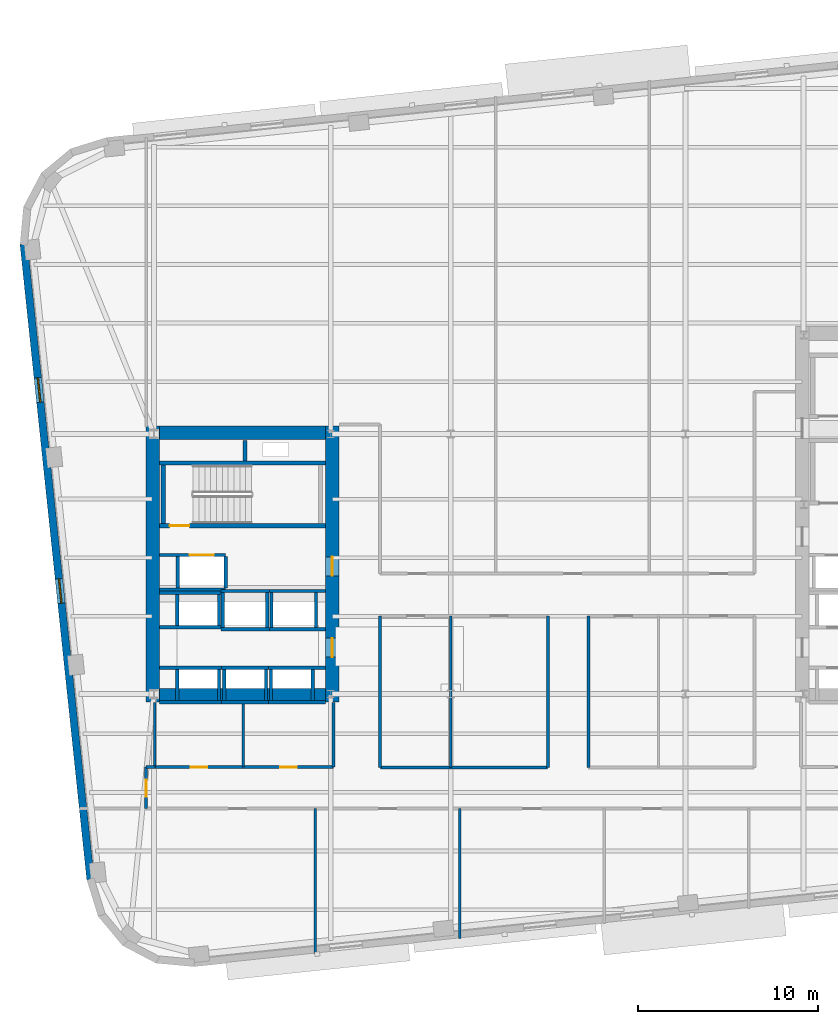
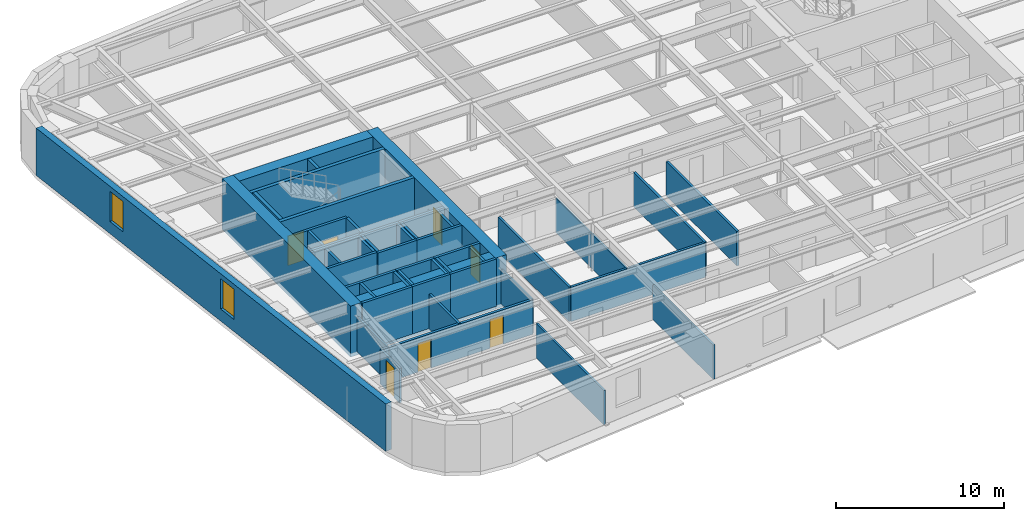
# One storey, part 4 of 11: 50 walls, 7 doors, 2 windows, 9 openings.
"""IFC4 building model written with IfcOpenShell, lengths in metres."""

from ifc_helpers import new_model, si_unit, direction, frame, frame_2d, origin, place, context, subcontext, project, spatial, rectangle, extrude, material, layer, layer_set, type_object, element, fill, save


model = new_model("IFC4")

# Units and contexts
model_context = context("Model", 3, precision=1e-05, world=origin(), true_north=direction((0.0, 1.0)))
body_context = subcontext(model_context, "Body", "Model", "MODEL_VIEW")
ifc_project = project(units=[si_unit("LENGTHUNIT", "METRE"), si_unit("AREAUNIT", "SQUARE_METRE"), si_unit("VOLUMEUNIT", "CUBIC_METRE"), si_unit("PLANEANGLEUNIT", "RADIAN"), si_unit("MASSUNIT", "GRAM", prefix="KILO")], contexts=[model_context])

# Site, building, storey
site_placement = place(None, origin())
site = spatial("IfcSite", under=ifc_project, at=site_placement, CompositionType="ELEMENT")
building_placement = place(site_placement, origin())
building = spatial("IfcBuilding", under=site, at=building_placement, Name="Kolvaren Arena Tower", CompositionType="ELEMENT")
storey_placement = place(building_placement, frame((0.0, 0.0, 122.199951171875)))
storey = spatial("IfcBuildingStorey", under=building, at=storey_placement, Name="L28", CompositionType="ELEMENT", Elevation=122.199951171875)

# Walls
ifc_material_1 = material(Name="Gypsum board acoustic assembly", Category="gypsum")
ifc_layer_1 = layer(ifc_material_1, 0.159912109375)
ifc_layer_set_1 = layer_set([ifc_layer_1], Name="Gypsum board acoustic assembly")
wall_type_1 = type_object("IfcWallType", Name="CORR-160", PredefinedType="PARTITIONING", material=ifc_layer_set_1)
wall_1_placement = place(storey_placement, frame((27.10009765625, 15.3798828125, 0.0), z_axis=(0.0, 0.0, 1.0), x_axis=(1.0, 0.0, 0.0)))
element("IfcWall", 1, at=wall_1_placement, inside=storey, type_object=wall_type_1, Name="Interior Partition Wall (L28)", PredefinedType="PARTITIONING", context=body_context, shape_type="SweptSolid", body=[
    extrude(rectangle(XDim=9.260009765625, YDim=0.159912109375, at=frame_2d((4.6298828125, 0.0))), origin(), (0.0, 0.0, 1.0), 2.5),
])
for number, where, z_axis, x_axis, name in (
    (2, (36.3798828125, 15.3798828125, 0.0), (0.0, 0.0, 1.0), (0.0, 1.0, 0.0), "Interior Partition Wall (L28)"),
    (3, (38.6201171875, 15.3798828125, 0.0), (0.0, 0.0, 1.0), (0.0, 1.0, 0.0), "Interior Partition Wall (L28)"),
    (4, (27.080078125, 15.3798828125, 0.0), (0.0, 0.0, 1.0), (0.0, 1.0, 0.0), "Interior Partition Wall (L28)"),
):
    element("IfcWall", number, at=place(storey_placement, frame(where, z_axis=z_axis, x_axis=x_axis)), inside=storey, type_object=wall_type_1, Name=name, PredefinedType="PARTITIONING", context=body_context, shape_type="SweptSolid", body=[
        extrude(rectangle(XDim=8.400146484375, YDim=0.159912109375, at=frame_2d((4.2001953125, 0.0))), origin(), (0.0, 0.0, 1.0), 2.5),
    ])

# Wall, opening, door
wall_2_placement = place(storey_placement, frame((14.1201171875, 13.10009765625, 0.0), z_axis=(0.0, 0.0, 1.0), x_axis=(0.0, 1.0, 0.0)))
wall_2 = element("IfcWall", 5, at=wall_2_placement, inside=storey, type_object=wall_type_1, Name="Interior Partition Wall (L28)", PredefinedType="PARTITIONING", context=body_context, shape_type="SweptSolid", body=[
    extrude(rectangle(XDim=2.2998046875, YDim=0.159912109375, at=frame_2d((1.14990234375, 0.0))), origin(), (0.0, 0.0, 1.0), 2.5),
])
opening_1_placement = place(wall_2_placement, frame((0.64990234375, 0.0, 0.0)))
opening_1 = element("IfcOpeningElement", 6, at=opening_1_placement, cuts=wall_2, Name="Opening D05", PredefinedType="OPENING", context=body_context, shape_type="SweptSolid", body=[
    extrude(rectangle(XDim=0.949951171875, YDim=2.14990234375, at=frame_2d((0.47509765625, 1.074951171875))), frame((0.0, 0.08984375, 0.0), z_axis=(0.0, -1.0, 0.0), x_axis=(1.0, 0.0, 0.0)), (0.0, 0.0, 1.0), 0.179931640625),
])
ifc_material_2 = material(Name="Solid-core oak acoustic office door", Category="wood")
door_type_1 = type_object("IfcDoorType", Name="DOOR-OF-095", OperationType="NOTDEFINED", PredefinedType="DOOR", material=ifc_material_2)
door_1_placement = place(opening_1_placement, origin())
door_1 = element("IfcDoor", 7, at=door_1_placement, inside=storey, type_object=door_type_1, Name="West Wing Office Door (L28)", OperationType="SINGLE_SWING_LEFT", OverallHeight=2.14990234375, OverallWidth=0.949951171875, PredefinedType="DOOR", context=body_context, shape_type="SweptSolid", body=[
    extrude(rectangle(XDim=0.949951171875, YDim=2.14990234375, at=frame_2d((0.47509765625, 1.074951171875))), frame((0.0, 0.02490234375, 0.0), z_axis=(0.0, -1.0, 0.0), x_axis=(1.0, 0.0, 0.0)), (0.0, 0.0, 1.0), 0.050048828125),
])
fill(opening_1, door_1)

# Walls
wall_3_placement = place(storey_placement, frame((14.1201171875, 15.39990234375, 0.0), z_axis=(0.0, 0.0, 1.0), x_axis=(1.0, 0.0, 0.0)))
element("IfcWall", 8, at=wall_3_placement, inside=storey, type_object=wall_type_1, Name="Interior Partition Wall (L28)", PredefinedType="PARTITIONING", context=body_context, shape_type="SweptSolid", body=[
    extrude(rectangle(XDim=0.5, YDim=0.159912109375, at=frame_2d((0.25, 0.0))), origin(), (0.0, 0.0, 1.0), 2.5),
])
ifc_material_3 = material(Name="Concrete 70 MPa", Category="concrete")
ifc_layer_2 = layer(ifc_material_3, 0.75)
ifc_layer_set_2 = layer_set([ifc_layer_2], Name="Concrete 70 MPa")
wall_type_2 = type_object("IfcWallType", Name="CWALL-750", PredefinedType="SHEAR", material=ifc_layer_set_2)
wall_4_placement = place(storey_placement, frame((14.47509765625, 19.0, -0.27001953125), z_axis=(0.0, 0.0, 1.0), x_axis=(0.0, 1.0, 0.0)))
element("IfcWall", 9, at=wall_4_placement, inside=storey, type_object=wall_type_2, Name="Core Shear Wall WC-WEST (L28)", PredefinedType="SHEAR", context=body_context, shape_type="SweptSolid", body=[
    extrude(rectangle(XDim=15.300048828125, YDim=0.75, at=frame_2d((7.64990234375, 0.0))), origin(), (0.0, 0.0, 1.0), 3.7099609375),
])

# Wall, openings, doors
wall_5_placement = place(storey_placement, frame((24.425048828125, 19.0, -0.27001953125), z_axis=(0.0, 0.0, 1.0), x_axis=(0.0, 1.0, 0.0)))
wall_5 = element("IfcWall", 10, at=wall_5_placement, inside=storey, type_object=wall_type_2, Name="Core Shear Wall WC-EAST (L28)", PredefinedType="SHEAR", context=body_context, shape_type="SweptSolid", body=[
    extrude(rectangle(XDim=15.300048828125, YDim=0.75, at=frame_2d((7.64990234375, 0.0))), origin(), (0.0, 0.0, 1.0), 3.7099609375),
])
opening_2_placement = place(wall_5_placement, frame((2.5, 0.0, 0.27001953125)))
opening_2 = element("IfcOpeningElement", 11, at=opening_2_placement, cuts=wall_5, Name="Opening D04", PredefinedType="OPENING", context=body_context, shape_type="SweptSolid", body=[
    extrude(rectangle(XDim=1.050048828125, YDim=2.14990234375, at=frame_2d((0.52490234375, 1.074951171875))), frame((0.0, 0.385009765625, 0.0), z_axis=(0.0, -1.0, 0.0), x_axis=(1.0, 0.0, 0.0)), (0.0, 0.0, 1.0), 0.77001953125),
])
opening_3_placement = place(wall_5_placement, frame((7.0, 0.0, 0.27001953125)))
opening_3 = element("IfcOpeningElement", 12, at=opening_3_placement, cuts=wall_5, Name="Opening D04", PredefinedType="OPENING", context=body_context, shape_type="SweptSolid", body=[
    extrude(rectangle(XDim=1.050048828125, YDim=2.14990234375, at=frame_2d((0.52490234375, 1.074951171875))), frame((0.0, 0.385009765625, 0.0), z_axis=(0.0, -1.0, 0.0), x_axis=(1.0, 0.0, 0.0)), (0.0, 0.0, 1.0), 0.77001953125),
])
ifc_material_4 = material(Name="Fire-rated steel lobby door", Category="steel")
door_type_2 = type_object("IfcDoorType", Name="DOOR-FF-105", OperationType="NOTDEFINED", PredefinedType="DOOR", material=ifc_material_4)
door_2_placement = place(opening_2_placement, origin())
door_2 = element("IfcDoor", 13, at=door_2_placement, inside=storey, type_object=door_type_2, Name="West Lift Lobby Fire Door (L28)", OperationType="SINGLE_SWING_LEFT", OverallHeight=2.14990234375, OverallWidth=1.050048828125, PredefinedType="DOOR", context=body_context, shape_type="SweptSolid", body=[
    extrude(rectangle(XDim=1.050048828125, YDim=2.14990234375, at=frame_2d((0.52490234375, 1.074951171875))), frame((0.0, 0.02490234375, 0.0), z_axis=(0.0, -1.0, 0.0), x_axis=(1.0, 0.0, 0.0)), (0.0, 0.0, 1.0), 0.050048828125),
])
fill(opening_2, door_2)
door_3_placement = place(opening_3_placement, origin())
door_3 = element("IfcDoor", 14, at=door_3_placement, inside=storey, type_object=door_type_2, Name="West Firefighter Vestibule Door (L28)", OperationType="SINGLE_SWING_RIGHT", OverallHeight=2.14990234375, OverallWidth=1.050048828125, PredefinedType="DOOR", context=body_context, shape_type="SweptSolid", body=[
    extrude(rectangle(XDim=1.050048828125, YDim=2.14990234375, at=frame_2d((0.52490234375, 1.074951171875))), frame((0.0, 0.02490234375, 0.0), z_axis=(0.0, -1.0, 0.0), x_axis=(1.0, 0.0, 0.0)), (0.0, 0.0, 1.0), 0.050048828125),
])
fill(opening_3, door_3)

# Walls
for number, where, z_axis, x_axis, name in (
    (15, (14.85009765625, 19.375, -0.27001953125), (0.0, 0.0, 1.0), (1.0, 0.0, 0.0), "Core Shear Wall WC-SOUTH (L28)"),
    (16, (14.85009765625, 33.925048828125, -0.27001953125), (0.0, 0.0, 1.0), (1.0, 0.0, 0.0), "Core Shear Wall WC-NORTH (L28)"),
):
    element("IfcWall", number, at=place(storey_placement, frame(where, z_axis=z_axis, x_axis=x_axis)), inside=storey, type_object=wall_type_2, Name=name, PredefinedType="SHEAR", context=body_context, shape_type="SweptSolid", body=[
        extrude(rectangle(XDim=9.199951171875, YDim=0.75, at=frame_2d((4.60009765625, 0.0))), origin(), (0.0, 0.0, 1.0), 3.7099609375),
    ])

# Wall, openings, windows
ifc_material_5 = material(Name="Precast concrete C50/60", Category="concrete")
ifc_layer_3 = layer(ifc_material_5, 0.419921875)
ifc_layer_set_3 = layer_set([ifc_layer_3], Name="Precast concrete C50/60")
wall_type_3 = type_object("IfcWallType", Name="EXT-PIER1", PredefinedType="SOLIDWALL", material=ifc_layer_set_3)
wall_6_placement = place(storey_placement, frame((11.039794921875, 9.16943359375, 0.0), z_axis=(0.0, 0.0, 1.0), x_axis=(-0.104532207177, 0.99452150186, 0.0)))
wall_6 = element("IfcWall", 17, at=wall_6_placement, inside=storey, type_object=wall_type_3, Name="Exterior Precast Masonry-Frame Wall (L28)", PredefinedType="SOLIDWALL", context=body_context, shape_type="SweptSolid", body=[
    extrude(rectangle(XDim=35.39990234375, YDim=0.419921875, at=frame_2d((17.699951171875, 0.0))), origin(), (0.0, 0.0, 1.0), 3.43994140625),
])
opening_4_placement = place(wall_6_placement, frame((15.39990234375, 0.0, 0.8798828125)))
opening_4 = element("IfcOpeningElement", 18, at=opening_4_placement, cuts=wall_6, Name="Opening W04", PredefinedType="OPENING", context=body_context, shape_type="SweptSolid", body=[
    extrude(rectangle(XDim=1.35009765625, YDim=2.199951171875, at=frame_2d((0.675048828125, 1.10009765625))), frame((0.0, 0.219970703125, 0.0), z_axis=(0.0, -1.0, 0.0), x_axis=(1.0, 0.0, 0.0)), (0.0, 0.0, 1.0), 0.43994140625),
])
opening_5_placement = place(wall_6_placement, frame((26.60009765625, 0.0, 0.8798828125)))
opening_5 = element("IfcOpeningElement", 19, at=opening_5_placement, cuts=wall_6, Name="Opening W04", PredefinedType="OPENING", context=body_context, shape_type="SweptSolid", body=[
    extrude(rectangle(XDim=1.35009765625, YDim=2.199951171875, at=frame_2d((0.675048828125, 1.10009765625))), frame((0.0, 0.219970703125, 0.0), z_axis=(0.0, -1.0, 0.0), x_axis=(1.0, 0.0, 0.0)), (0.0, 0.0, 1.0), 0.43994140625),
])
ifc_material_6 = material(Name="Triple-glazed curved-facet corner window", Category="glass")
window_type = type_object("IfcWindowType", Name="WIN-CRN-A", PartitioningType="SINGLE_PANEL", PredefinedType="WINDOW", material=ifc_material_6)
window_1_placement = place(opening_4_placement, origin())
window_1 = element("IfcWindow", 20, at=window_1_placement, inside=storey, type_object=window_type, Name="End-Wall Punched Window (L28)", OverallHeight=2.199951171875, OverallWidth=1.35009765625, PartitioningType="SINGLE_PANEL", PredefinedType="WINDOW", context=body_context, shape_type="SweptSolid", body=[
    extrude(rectangle(XDim=1.35009765625, YDim=2.199951171875, at=frame_2d((0.675048828125, 1.10009765625))), frame((0.0, 0.030029296875, 0.0), z_axis=(0.0, -1.0, 0.0), x_axis=(1.0, 0.0, 0.0)), (0.0, 0.0, 1.0), 0.06005859375),
])
fill(opening_4, window_1)
window_2_placement = place(opening_5_placement, origin())
window_2 = element("IfcWindow", 21, at=window_2_placement, inside=storey, type_object=window_type, Name="End-Wall Punched Window (L28)", OverallHeight=2.199951171875, OverallWidth=1.35009765625, PartitioningType="SINGLE_PANEL", PredefinedType="WINDOW", context=body_context, shape_type="SweptSolid", body=[
    extrude(rectangle(XDim=1.35009765625, YDim=2.199951171875, at=frame_2d((0.675048828125, 1.10009765625))), frame((0.0, 0.030029296875, 0.0), z_axis=(0.0, -1.0, 0.0), x_axis=(1.0, 0.0, 0.0)), (0.0, 0.0, 1.0), 0.06005859375),
])
fill(opening_5, window_2)

# Walls
ifc_material_7 = material(Name="Gypsum board partition assembly", Category="gypsum")
ifc_layer_4 = layer(ifc_material_7, 0.114990234375)
ifc_layer_set_4 = layer_set([ifc_layer_4], Name="Gypsum board partition assembly")
wall_type_4 = type_object("IfcWallType", Name="PART-115", PredefinedType="PARTITIONING", material=ifc_layer_set_4)
wall_7_placement = place(storey_placement, frame((31.0, 15.3798828125, 0.0), z_axis=(0.0, 0.0, 1.0), x_axis=(0.0, 1.0, 0.0)))
element("IfcWall", 22, at=wall_7_placement, inside=storey, type_object=wall_type_4, Name="Interior Partition Wall (L28)", PredefinedType="PARTITIONING", context=body_context, shape_type="SweptSolid", body=[
    extrude(rectangle(XDim=8.400146484375, YDim=0.114990234375, at=frame_2d((4.2001953125, 0.0))), origin(), (0.0, 0.0, 1.0), 2.5),
])
ifc_layer_5 = layer(ifc_material_7, 0.135009765625)
ifc_layer_set_5 = layer_set([ifc_layer_5], Name="Gypsum board partition assembly")
wall_type_5 = type_object("IfcWallType", Name="PART-135", PredefinedType="PARTITIONING", material=ifc_layer_set_5)
wall_8_placement = place(storey_placement, frame((23.5, 5.04931640625, 0.0), z_axis=(0.0, 0.0, 1.0), x_axis=(0.0, 1.0, 0.0)))
element("IfcWall", 23, at=wall_8_placement, inside=storey, type_object=wall_type_5, Name="Interior Partition Wall (L28)", PredefinedType="PARTITIONING", context=body_context, shape_type="SweptSolid", body=[
    extrude(rectangle(XDim=8.05078125, YDim=0.135009765625, at=frame_2d((4.025390625, 0.0))), origin(), (0.0, 0.0, 1.0), 2.5),
])
wall_9_placement = place(storey_placement, frame((31.5, 5.89013671875, 0.0), z_axis=(0.0, 0.0, 1.0), x_axis=(0.0, 1.0, 0.0)))
element("IfcWall", 24, at=wall_9_placement, inside=storey, type_object=wall_type_5, Name="Interior Partition Wall (L28)", PredefinedType="PARTITIONING", context=body_context, shape_type="SweptSolid", body=[
    extrude(rectangle(XDim=7.2099609375, YDim=0.135009765625, at=frame_2d((3.60498046875, 0.0))), origin(), (0.0, 0.0, 1.0), 2.5),
])

# Wall, opening, door
ifc_material_8 = material(Name="Concrete 45 MPa", Category="concrete")
ifc_layer_6 = layer(ifc_material_8, 0.25)
ifc_layer_set_6 = layer_set([ifc_layer_6], Name="Concrete 45 MPa")
wall_type_6 = type_object("IfcWallType", Name="SHAFT-250", PredefinedType="SOLIDWALL", material=ifc_layer_set_6)
wall_10_placement = place(storey_placement, frame((24.050048828125, 28.780029296875, 0.0), z_axis=(0.0, 0.0, 1.0), x_axis=(-1.0, 0.0, 0.0)))
wall_10 = element("IfcWall", 25, at=wall_10_placement, inside=storey, type_object=wall_type_6, Name="Core Shaft Wall (L28)", PredefinedType="SOLIDWALL", context=body_context, shape_type="SweptSolid", body=[
    extrude(rectangle(XDim=9.199951171875, YDim=0.239990234375, at=frame_2d((4.60009765625, 0.0))), origin(), (0.0, 0.0, 1.0), 3.43994140625),
])
opening_6_placement = place(wall_10_placement, frame((7.530029296875, 0.0, 0.0)))
opening_6 = element("IfcOpeningElement", 26, at=opening_6_placement, cuts=wall_10, Name="Opening D03", PredefinedType="OPENING", context=body_context, shape_type="SweptSolid", body=[
    extrude(rectangle(XDim=1.10009765625, YDim=2.14990234375, at=frame_2d((0.550048828125, 1.074951171875))), frame((0.0, 0.1298828125, 0.0), z_axis=(0.0, -1.0, 0.0), x_axis=(1.0, 0.0, 0.0)), (0.0, 0.0, 1.0), 0.260009765625),
])
ifc_material_9 = material(Name="Fire-rated steel exit stair door", Category="steel")
door_type_3 = type_object("IfcDoorType", Name="DOOR-ST-110", OperationType="NOTDEFINED", PredefinedType="DOOR", material=ifc_material_9)
door_4_placement = place(opening_6_placement, origin())
door_4 = element("IfcDoor", 27, at=door_4_placement, inside=storey, type_object=door_type_3, Name="Stair ST-W1 Fire Door (L28)", OperationType="SINGLE_SWING_RIGHT", OverallHeight=2.14990234375, OverallWidth=1.10009765625, PredefinedType="DOOR", context=body_context, shape_type="SweptSolid", body=[
    extrude(rectangle(XDim=1.10009765625, YDim=2.14990234375, at=frame_2d((0.550048828125, 1.074951171875))), frame((0.0, 0.02490234375, 0.0), z_axis=(0.0, -1.0, 0.0), x_axis=(1.0, 0.0, 0.0)), (0.0, 0.0, 1.0), 0.050048828125),
])
fill(opening_6, door_4)

# Walls
wall_11_placement = place(storey_placement, frame((14.85009765625, 32.25, 0.0), z_axis=(0.0, 0.0, 1.0), x_axis=(1.0, 0.0, 0.0)))
element("IfcWall", 28, at=wall_11_placement, inside=storey, type_object=wall_type_6, Name="Core Shaft Wall (L28)", PredefinedType="SOLIDWALL", context=body_context, shape_type="SweptSolid", body=[
    extrude(rectangle(XDim=9.199951171875, YDim=0.239990234375, at=frame_2d((4.60009765625, 0.0))), origin(), (0.0, 0.0, 1.0), 3.43994140625),
])
wall_12_placement = place(storey_placement, frame((15.06005859375, 28.89990234375, 0.0), z_axis=(0.0, 0.0, 1.0), x_axis=(0.0, 1.0, 0.0)))
element("IfcWall", 29, at=wall_12_placement, inside=storey, type_object=wall_type_6, Name="Core Shaft Wall (L28)", PredefinedType="SOLIDWALL", context=body_context, shape_type="SweptSolid", body=[
    extrude(rectangle(XDim=3.22998046875, YDim=0.239990234375, at=frame_2d((1.614990234375, 0.0))), origin(), (0.0, 0.0, 1.0), 3.43994140625),
])
wall_13_placement = place(storey_placement, frame((19.60009765625, 32.3701171875, 0.0), z_axis=(0.0, 0.0, 1.0), x_axis=(0.0, 1.0, 0.0)))
element("IfcWall", 30, at=wall_13_placement, inside=storey, type_object=wall_type_6, Name="Core Shaft Wall (L28)", PredefinedType="SOLIDWALL", context=body_context, shape_type="SweptSolid", body=[
    extrude(rectangle(XDim=1.1298828125, YDim=0.199951171875, at=frame_2d((0.56494140625, 0.0))), origin(), (0.0, 0.0, 1.0), 3.43994140625),
])
for number, where, z_axis, x_axis, name in (
    (31, (14.85009765625, 20.905029296875, 0.0), (0.0, 0.0, 1.0), (1.0, 0.0, 0.0), "Core Shaft Wall (L28)"),
    (32, (14.85009765625, 18.9951171875, 0.0), (0.0, 0.0, 1.0), (1.0, 0.0, 0.0), "Core Shaft Wall (L28)"),
):
    element("IfcWall", number, at=place(storey_placement, frame(where, z_axis=z_axis, x_axis=x_axis)), inside=storey, type_object=wall_type_6, Name=name, PredefinedType="SOLIDWALL", context=body_context, shape_type="SweptSolid", body=[
        extrude(rectangle(XDim=3.449951171875, YDim=0.179931640625, at=frame_2d((1.72509765625, 0.0))), origin(), (0.0, 0.0, 1.0), 3.43994140625),
    ])
for number, where, z_axis, x_axis, name in (
    (33, (15.844970703125, 19.0849609375, 0.0), (0.0, 0.0, 1.0), (0.0, 1.0, 0.0), "Core Shaft Wall (L28)"),
    (34, (18.155029296875, 19.0849609375, 0.0), (0.0, 0.0, 1.0), (0.0, 1.0, 0.0), "Core Shaft Wall (L28)"),
):
    element("IfcWall", number, at=place(storey_placement, frame(where, z_axis=z_axis, x_axis=x_axis)), inside=storey, type_object=wall_type_6, Name=name, PredefinedType="SOLIDWALL", context=body_context, shape_type="SweptSolid", body=[
        extrude(rectangle(XDim=1.72998046875, YDim=0.179931640625, at=frame_2d((0.864990234375, 0.0))), origin(), (0.0, 0.0, 1.0), 3.43994140625),
    ])
for number, where, z_axis, x_axis, name in (
    (35, (18.300048828125, 20.905029296875, 0.0), (0.0, 0.0, 1.0), (1.0, 0.0, 0.0), "Core Shaft Wall (L28)"),
    (36, (18.300048828125, 18.9951171875, 0.0), (0.0, 0.0, 1.0), (1.0, 0.0, 0.0), "Core Shaft Wall (L28)"),
):
    element("IfcWall", number, at=place(storey_placement, frame(where, z_axis=z_axis, x_axis=x_axis)), inside=storey, type_object=wall_type_6, Name=name, PredefinedType="SOLIDWALL", context=body_context, shape_type="SweptSolid", body=[
        extrude(rectangle(XDim=2.599853515625, YDim=0.179931640625, at=frame_2d((1.2998046875, 0.0))), origin(), (0.0, 0.0, 1.0), 3.43994140625),
    ])
for number, where, z_axis, x_axis, name in (
    (37, (18.445068359375, 19.0849609375, 0.0), (0.0, 0.0, 1.0), (0.0, 1.0, 0.0), "Core Shaft Wall (L28)"),
    (38, (20.7548828125, 19.0849609375, 0.0), (0.0, 0.0, 1.0), (0.0, 1.0, 0.0), "Core Shaft Wall (L28)"),
):
    element("IfcWall", number, at=place(storey_placement, frame(where, z_axis=z_axis, x_axis=x_axis)), inside=storey, type_object=wall_type_6, Name=name, PredefinedType="SOLIDWALL", context=body_context, shape_type="SweptSolid", body=[
        extrude(rectangle(XDim=1.72998046875, YDim=0.179931640625, at=frame_2d((0.864990234375, 0.0))), origin(), (0.0, 0.0, 1.0), 3.43994140625),
    ])
for number, where, z_axis, x_axis, name in (
    (39, (20.89990234375, 20.905029296875, 0.0), (0.0, 0.0, 1.0), (1.0, 0.0, 0.0), "Core Shaft Wall (L28)"),
    (40, (20.89990234375, 18.9951171875, 0.0), (0.0, 0.0, 1.0), (1.0, 0.0, 0.0), "Core Shaft Wall (L28)"),
):
    element("IfcWall", number, at=place(storey_placement, frame(where, z_axis=z_axis, x_axis=x_axis)), inside=storey, type_object=wall_type_6, Name=name, PredefinedType="SOLIDWALL", context=body_context, shape_type="SweptSolid", body=[
        extrude(rectangle(XDim=3.150146484375, YDim=0.179931640625, at=frame_2d((1.5751953125, 0.0))), origin(), (0.0, 0.0, 1.0), 3.43994140625),
    ])
for number, where, z_axis, x_axis, name in (
    (41, (21.044921875, 19.0849609375, 0.0), (0.0, 0.0, 1.0), (0.0, 1.0, 0.0), "Core Shaft Wall (L28)"),
    (42, (23.35498046875, 19.0849609375, 0.0), (0.0, 0.0, 1.0), (0.0, 1.0, 0.0), "Core Shaft Wall (L28)"),
):
    element("IfcWall", number, at=place(storey_placement, frame(where, z_axis=z_axis, x_axis=x_axis)), inside=storey, type_object=wall_type_6, Name=name, PredefinedType="SOLIDWALL", context=body_context, shape_type="SweptSolid", body=[
        extrude(rectangle(XDim=1.72998046875, YDim=0.179931640625, at=frame_2d((0.864990234375, 0.0))), origin(), (0.0, 0.0, 1.0), 3.43994140625),
    ])
for number, where, z_axis, x_axis, name in (
    (43, (14.85009765625, 25.054931640625, 0.0), (0.0, 0.0, 1.0), (1.0, 0.0, 0.0), "Core Shaft Wall (L28)"),
    (44, (14.85009765625, 23.14501953125, 0.0), (0.0, 0.0, 1.0), (1.0, 0.0, 0.0), "Core Shaft Wall (L28)"),
):
    element("IfcWall", number, at=place(storey_placement, frame(where, z_axis=z_axis, x_axis=x_axis)), inside=storey, type_object=wall_type_6, Name=name, PredefinedType="SOLIDWALL", context=body_context, shape_type="SweptSolid", body=[
        extrude(rectangle(XDim=3.412353515625, YDim=0.179931640625, at=frame_2d((1.7060546875, 0.0))), origin(), (0.0, 0.0, 1.0), 3.43994140625),
    ])
for number, where, z_axis, x_axis, name in (
    (45, (15.844970703125, 23.235107421875, 0.0), (0.0, 0.0, 1.0), (0.0, 1.0, 0.0), "Core Shaft Wall (L28)"),
    (46, (18.155029296875, 23.235107421875, 0.0), (0.0, 0.0, 1.0), (0.0, 1.0, 0.0), "Core Shaft Wall (L28)"),
):
    element("IfcWall", number, at=place(storey_placement, frame(where, z_axis=z_axis, x_axis=x_axis)), inside=storey, type_object=wall_type_6, Name=name, PredefinedType="SOLIDWALL", context=body_context, shape_type="SweptSolid", body=[
        extrude(rectangle(XDim=1.72998046875, YDim=0.179931640625, at=frame_2d((0.864990234375, 0.0))), origin(), (0.0, 0.0, 1.0), 3.43994140625),
    ])
for number, where, z_axis, x_axis, name in (
    (47, (18.262451171875, 25.155029296875, 0.0), (0.0, 0.0, 1.0), (1.0, 0.0, 0.0), "Core Shaft Wall (L28)"),
    (48, (18.262451171875, 23.044921875, 0.0), (0.0, 0.0, 1.0), (1.0, 0.0, 0.0), "Core Shaft Wall (L28)"),
):
    element("IfcWall", number, at=place(storey_placement, frame(where, z_axis=z_axis, x_axis=x_axis)), inside=storey, type_object=wall_type_6, Name=name, PredefinedType="SOLIDWALL", context=body_context, shape_type="SweptSolid", body=[
        extrude(rectangle(XDim=2.6875, YDim=0.179931640625, at=frame_2d((1.34375, 0.0))), origin(), (0.0, 0.0, 1.0), 3.43994140625),
    ])
for number, where, z_axis, x_axis, name in (
    (49, (18.3701171875, 23.135009765625, 0.0), (0.0, 0.0, 1.0), (0.0, 1.0, 0.0), "Core Shaft Wall (L28)"),
    (50, (20.830078125, 23.135009765625, 0.0), (0.0, 0.0, 1.0), (0.0, 1.0, 0.0), "Core Shaft Wall (L28)"),
):
    element("IfcWall", number, at=place(storey_placement, frame(where, z_axis=z_axis, x_axis=x_axis)), inside=storey, type_object=wall_type_6, Name=name, PredefinedType="SOLIDWALL", context=body_context, shape_type="SweptSolid", body=[
        extrude(rectangle(XDim=1.929931640625, YDim=0.179931640625, at=frame_2d((0.96484375, 0.0))), origin(), (0.0, 0.0, 1.0), 3.43994140625),
    ])
for number, where, z_axis, x_axis, name in (
    (51, (20.949951171875, 25.155029296875, 0.0), (0.0, 0.0, 1.0), (1.0, 0.0, 0.0), "Core Shaft Wall (L28)"),
    (52, (20.949951171875, 23.044921875, 0.0), (0.0, 0.0, 1.0), (1.0, 0.0, 0.0), "Core Shaft Wall (L28)"),
):
    element("IfcWall", number, at=place(storey_placement, frame(where, z_axis=z_axis, x_axis=x_axis)), inside=storey, type_object=wall_type_6, Name=name, PredefinedType="SOLIDWALL", context=body_context, shape_type="SweptSolid", body=[
        extrude(rectangle(XDim=3.10009765625, YDim=0.179931640625, at=frame_2d((1.550048828125, 0.0))), origin(), (0.0, 0.0, 1.0), 3.43994140625),
    ])
for number, where, z_axis, x_axis, name in (
    (53, (21.070068359375, 23.135009765625, 0.0), (0.0, 0.0, 1.0), (0.0, 1.0, 0.0), "Core Shaft Wall (L28)"),
    (54, (23.530029296875, 23.135009765625, 0.0), (0.0, 0.0, 1.0), (0.0, 1.0, 0.0), "Core Shaft Wall (L28)"),
):
    element("IfcWall", number, at=place(storey_placement, frame(where, z_axis=z_axis, x_axis=x_axis)), inside=storey, type_object=wall_type_6, Name=name, PredefinedType="SOLIDWALL", context=body_context, shape_type="SweptSolid", body=[
        extrude(rectangle(XDim=1.929931640625, YDim=0.179931640625, at=frame_2d((0.96484375, 0.0))), origin(), (0.0, 0.0, 1.0), 3.43994140625),
    ])

# Wall, opening, door
wall_14_placement = place(storey_placement, frame((14.85009765625, 27.155029296875, 0.0), z_axis=(0.0, 0.0, 1.0), x_axis=(1.0, 0.0, 0.0)))
wall_14 = element("IfcWall", 55, at=wall_14_placement, inside=storey, type_object=wall_type_6, Name="Core Shaft Wall (L28)", PredefinedType="SOLIDWALL", context=body_context, shape_type="SweptSolid", body=[
    extrude(rectangle(XDim=3.679931640625, YDim=0.179931640625, at=frame_2d((1.83984375, 0.0))), origin(), (0.0, 0.0, 1.0), 3.43994140625),
])
opening_7_placement = place(wall_14_placement, frame((1.675048828125, 0.0, 0.0)))
opening_7 = element("IfcOpeningElement", 56, at=opening_7_placement, cuts=wall_14, Name="Opening LD2", PredefinedType="OPENING", context=body_context, shape_type="SweptSolid", body=[
    extrude(rectangle(XDim=1.35009765625, YDim=2.300048828125, at=frame_2d((0.675048828125, 1.14990234375))), frame((0.0, 0.099853515625, 0.0), z_axis=(0.0, -1.0, 0.0), x_axis=(1.0, 0.0, 0.0)), (0.0, 0.0, 1.0), 0.199951171875),
])
ifc_material_10 = material(Name="Stainless steel firefighter lift landing door", Category="steel")
door_type_4 = type_object("IfcDoorType", Name="DOOR-LD-135", OperationType="DOUBLE_DOOR_SLIDING", PredefinedType="DOOR", material=ifc_material_10)
door_5_placement = place(opening_7_placement, origin())
door_5 = element("IfcDoor", 57, at=door_5_placement, inside=storey, type_object=door_type_4, Name="Firefighter Lift FF-W1 Landing Door (L28)", OperationType="DOUBLE_DOOR_SLIDING", OverallHeight=2.300048828125, OverallWidth=1.35009765625, PredefinedType="DOOR", context=body_context, shape_type="SweptSolid", body=[
    extrude(rectangle(XDim=1.35009765625, YDim=2.300048828125, at=frame_2d((0.675048828125, 1.14990234375))), frame((0.0, 0.02490234375, 0.0), z_axis=(0.0, -1.0, 0.0), x_axis=(1.0, 0.0, 0.0)), (0.0, 0.0, 1.0), 0.050048828125),
])
fill(opening_7, door_5)

# Walls
wall_15_placement = place(storey_placement, frame((14.85009765625, 25.2451171875, 0.0), z_axis=(0.0, 0.0, 1.0), x_axis=(1.0, 0.0, 0.0)))
element("IfcWall", 58, at=wall_15_placement, inside=storey, type_object=wall_type_6, Name="Core Shaft Wall (L28)", PredefinedType="SOLIDWALL", context=body_context, shape_type="SweptSolid", body=[
    extrude(rectangle(XDim=3.679931640625, YDim=0.179931640625, at=frame_2d((1.83984375, 0.0))), origin(), (0.0, 0.0, 1.0), 3.43994140625),
])
for number, where, z_axis, x_axis, name in (
    (59, (15.8701171875, 25.3349609375, 0.0), (0.0, 0.0, 1.0), (0.0, 1.0, 0.0), "Core Shaft Wall (L28)"),
    (60, (18.530029296875, 25.3349609375, 0.0), (0.0, 0.0, 1.0), (0.0, 1.0, 0.0), "Core Shaft Wall (L28)"),
):
    element("IfcWall", number, at=place(storey_placement, frame(where, z_axis=z_axis, x_axis=x_axis)), inside=storey, type_object=wall_type_6, Name=name, PredefinedType="SOLIDWALL", context=body_context, shape_type="SweptSolid", body=[
        extrude(rectangle(XDim=1.72998046875, YDim=0.179931640625, at=frame_2d((0.864990234375, 0.0))), origin(), (0.0, 0.0, 1.0), 3.43994140625),
    ])
ifc_material_11 = material(Name="Moisture-resistant gypsum assembly", Category="gypsum")
ifc_layer_7 = layer(ifc_material_11, 0.14990234375)
ifc_layer_set_7 = layer_set([ifc_layer_7], Name="Moisture-resistant gypsum assembly")
wall_type_7 = type_object("IfcWallType", Name="WETW-150", PredefinedType="PARTITIONING", material=ifc_layer_set_7)
wall_16_placement = place(storey_placement, frame((19.5, 15.39990234375, 0.0), z_axis=(0.0, 0.0, 1.0), x_axis=(0.0, 1.0, 0.0)))
element("IfcWall", 61, at=wall_16_placement, inside=storey, type_object=wall_type_7, Name="Interior Partition Wall (L28)", PredefinedType="PARTITIONING", context=body_context, shape_type="SweptSolid", body=[
    extrude(rectangle(XDim=3.580078125, YDim=0.14990234375, at=frame_2d((1.7900390625, 0.0))), origin(), (0.0, 0.0, 1.0), 2.5),
])

# Wall, openings, doors
wall_17_placement = place(storey_placement, frame((14.60009765625, 15.39990234375, 0.0), z_axis=(0.0, 0.0, 1.0), x_axis=(1.0, 0.0, 0.0)))
wall_17 = element("IfcWall", 62, at=wall_17_placement, inside=storey, type_object=wall_type_7, Name="Interior Partition Wall (L28)", PredefinedType="PARTITIONING", context=body_context, shape_type="SweptSolid", body=[
    extrude(rectangle(XDim=9.89990234375, YDim=0.179931640625, at=frame_2d((4.949951171875, 0.0))), origin(), (0.0, 0.0, 1.0), 2.5),
])
opening_8_placement = place(wall_17_placement, frame((1.989990234375, 0.0, 0.0)))
opening_8 = element("IfcOpeningElement", 63, at=opening_8_placement, cuts=wall_17, Name="Opening D07", PredefinedType="OPENING", context=body_context, shape_type="SweptSolid", body=[
    extrude(rectangle(XDim=0.919921875, YDim=2.10009765625, at=frame_2d((0.4599609375, 1.050048828125))), frame((0.0, 0.099853515625, 0.0), z_axis=(0.0, -1.0, 0.0), x_axis=(1.0, 0.0, 0.0)), (0.0, 0.0, 1.0), 0.199951171875),
])
opening_9_placement = place(wall_17_placement, frame((6.93994140625, 0.0, 0.0)))
opening_9 = element("IfcOpeningElement", 64, at=opening_9_placement, cuts=wall_17, Name="Opening D07", PredefinedType="OPENING", context=body_context, shape_type="SweptSolid", body=[
    extrude(rectangle(XDim=0.919921875, YDim=2.10009765625, at=frame_2d((0.4599609375, 1.050048828125))), frame((0.0, 0.099853515625, 0.0), z_axis=(0.0, -1.0, 0.0), x_axis=(1.0, 0.0, 0.0)), (0.0, 0.0, 1.0), 0.199951171875),
])
ifc_material_12 = material(Name="Laminate universal washroom door", Category="wood")
door_type_5 = type_object("IfcDoorType", Name="DOOR-WC-092", OperationType="NOTDEFINED", PredefinedType="DOOR", material=ifc_material_12)
door_6_placement = place(opening_8_placement, origin())
door_6 = element("IfcDoor", 65, at=door_6_placement, inside=storey, type_object=door_type_5, Name="Universal Barrier-Free Washroom Door (L28)", OperationType="SINGLE_SWING_RIGHT", OverallHeight=2.10009765625, OverallWidth=0.919921875, PredefinedType="DOOR", context=body_context, shape_type="SweptSolid", body=[
    extrude(rectangle(XDim=0.919921875, YDim=2.10009765625, at=frame_2d((0.4599609375, 1.050048828125))), frame((0.0, 0.02490234375, 0.0), z_axis=(0.0, -1.0, 0.0), x_axis=(1.0, 0.0, 0.0)), (0.0, 0.0, 1.0), 0.050048828125),
])
fill(opening_8, door_6)
door_7_placement = place(opening_9_placement, origin())
door_7 = element("IfcDoor", 66, at=door_7_placement, inside=storey, type_object=door_type_5, Name="Gender-Neutral Washroom Door (L28)", OperationType="SINGLE_SWING_LEFT", OverallHeight=2.10009765625, OverallWidth=0.919921875, PredefinedType="DOOR", context=body_context, shape_type="SweptSolid", body=[
    extrude(rectangle(XDim=0.919921875, YDim=2.10009765625, at=frame_2d((0.4599609375, 1.050048828125))), frame((0.0, 0.02490234375, 0.0), z_axis=(0.0, -1.0, 0.0), x_axis=(1.0, 0.0, 0.0)), (0.0, 0.0, 1.0), 0.050048828125),
])
fill(opening_9, door_7)

# Walls
for number, where, z_axis, x_axis, name in (
    (67, (14.60009765625, 15.39990234375, 0.0), (0.0, 0.0, 1.0), (0.0, 1.0, 0.0), "Interior Partition Wall (L28)"),
    (68, (24.5, 15.39990234375, 0.0), (0.0, 0.0, 1.0), (0.0, 1.0, 0.0), "Interior Partition Wall (L28)"),
):
    element("IfcWall", number, at=place(storey_placement, frame(where, z_axis=z_axis, x_axis=x_axis)), inside=storey, type_object=wall_type_7, Name=name, PredefinedType="PARTITIONING", context=body_context, shape_type="SweptSolid", body=[
        extrude(rectangle(XDim=3.580078125, YDim=0.14990234375, at=frame_2d((1.7900390625, 0.0))), origin(), (0.0, 0.0, 1.0), 2.5),
    ])

save(model, "model.ifc")
